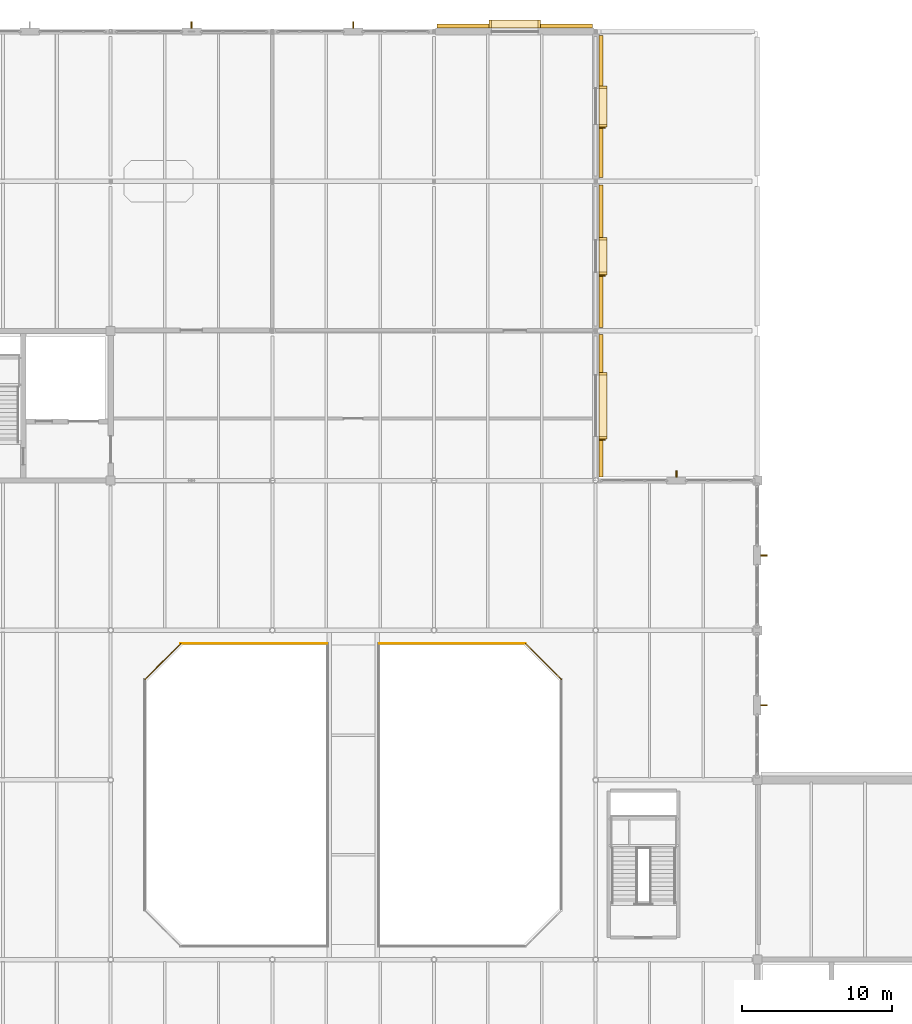
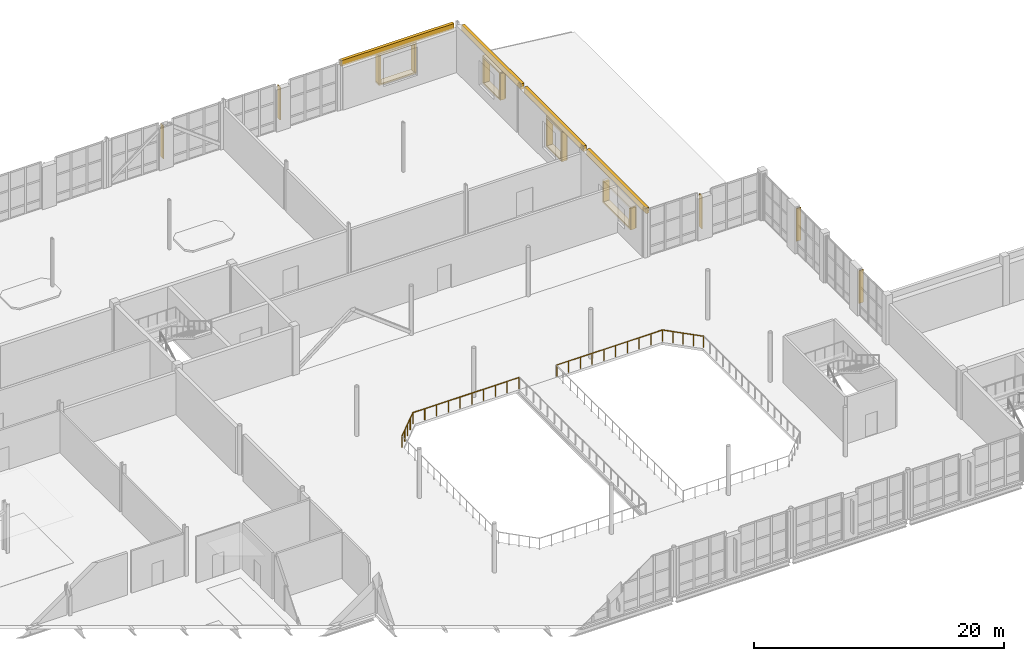
# One storey, part 99 of 100: 20 coverings, 8 shading devices, 4 railings.
"""IFC4 building model written with IfcOpenShell, lengths in metres."""

from ifc_helpers import new_model, si_unit, direction, frame, origin, origin_2d, place, context, subcontext, project, spatial, rectangle, circle, extrude, material, layer, layer_set, type_object, element, save


model = new_model("IFC4")

# Units and contexts
model_context = context("Model", 3, precision=1e-05, world=origin(), true_north=direction((0.0, 1.0)))
body_context = subcontext(model_context, "Body", "Model", "MODEL_VIEW")
ifc_project = project(units=[si_unit("LENGTHUNIT", "METRE"), si_unit("AREAUNIT", "SQUARE_METRE"), si_unit("VOLUMEUNIT", "CUBIC_METRE"), si_unit("PLANEANGLEUNIT", "RADIAN"), si_unit("MASSUNIT", "GRAM", prefix="KILO")], contexts=[model_context])

# Site, building, storey
site_placement = place(None, origin())
site = spatial("IfcSite", under=ifc_project, at=site_placement, CompositionType="ELEMENT")
building_placement = place(site_placement, origin())
building = spatial("IfcBuilding", under=site, at=building_placement, Name="Tasgan Crest Museum", CompositionType="ELEMENT")
storey_placement = place(building_placement, frame((0.0, 0.0, 9.60009765625)))
storey = spatial("IfcBuildingStorey", under=building, at=storey_placement, Name="L02", CompositionType="ELEMENT", Elevation=9.60009765625)

# Coverings
ifc_material_1 = material(Name="Honed Rose-Red Mongolian Granite", Category="masonry")
ifc_layer_1 = layer(ifc_material_1, 0.0400390625, Name="COV-GRANITE-ROSE")
ifc_layer_set_1 = layer_set([ifc_layer_1], Name="Honed Rose-Red Mongolian Granite")
covering_type_1 = type_object("IfcCoveringType", Name="COV-GRANITE-ROSE", PredefinedType="CLADDING", material=ifc_layer_set_1)
for number, where, z_axis, x_axis, name in (
    (1, (97.699951171875, 84.860107421875, 1.0), (0.0, 0.0, 1.0), (0.0, 1.0, 0.0), "Deep window reveal jamb L02-039"),
    (2, (97.699951171875, 89.139892578125, 1.0), (0.0, 0.0, 1.0), (0.0, 1.0, 0.0), "Deep window reveal jamb L02-039"),
):
    element("IfcCovering", number, at=place(storey_placement, frame(where, z_axis=z_axis, x_axis=x_axis)), inside=storey, type_object=covering_type_1, Name=name, PredefinedType="CLADDING", context=body_context, shape_type="SweptSolid", body=[
        extrude(rectangle(XDim=0.179931640625, YDim=0.550048828125, at=origin_2d()), origin(), (0.0, 0.0, 1.0), 1.89990234375),
    ])
for number, where, z_axis, x_axis, name in (
    (3, (97.699951171875, 95.8349609375, 1.0), (0.0, 0.0, 1.0), (0.0, 1.0, 0.0), "Deep window reveal jamb L02-040"),
    (4, (97.699951171875, 98.1650390625, 1.0), (0.0, 0.0, 1.0), (0.0, 1.0, 0.0), "Deep window reveal jamb L02-040"),
):
    element("IfcCovering", number, at=place(storey_placement, frame(where, z_axis=z_axis, x_axis=x_axis)), inside=storey, type_object=covering_type_1, Name=name, PredefinedType="CLADDING", context=body_context, shape_type="SweptSolid", body=[
        extrude(rectangle(XDim=0.179931640625, YDim=0.550048828125, at=origin_2d()), origin(), (0.0, 0.0, 1.0), 2.64990234375),
    ])
for number, where, z_axis, x_axis, name in (
    (5, (97.699951171875, 105.7099609375, 1.0), (0.0, 0.0, 1.0), (0.0, 1.0, 0.0), "Deep window reveal jamb L02-041"),
    (6, (97.699951171875, 108.2900390625, 1.0), (0.0, 0.0, 1.0), (0.0, 1.0, 0.0), "Deep window reveal jamb L02-041"),
):
    element("IfcCovering", number, at=place(storey_placement, frame(where, z_axis=z_axis, x_axis=x_axis)), inside=storey, type_object=covering_type_1, Name=name, PredefinedType="CLADDING", context=body_context, shape_type="SweptSolid", body=[
        extrude(rectangle(XDim=0.179931640625, YDim=0.550048828125, at=origin_2d()), origin(), (0.0, 0.0, 1.0), 2.39990234375),
    ])
for number, where, z_axis, x_axis, name in (
    (7, (93.43994140625, 112.5, 1.0), (0.0, 0.0, 1.0), (-1.0, 0.0, 0.0), "Deep window reveal jamb L02-042"),
    (8, (90.159912109375, 112.5, 1.0), (0.0, 0.0, 1.0), (-1.0, 0.0, 0.0), "Deep window reveal jamb L02-042"),
):
    element("IfcCovering", number, at=place(storey_placement, frame(where, z_axis=z_axis, x_axis=x_axis)), inside=storey, type_object=covering_type_1, Name=name, PredefinedType="CLADDING", context=body_context, shape_type="SweptSolid", body=[
        extrude(rectangle(XDim=0.179931640625, YDim=0.550048828125, at=origin_2d()), origin(), (0.0, 0.0, 1.0), 2.75),
    ])
ifc_material_2 = material(Name="Honed Buff Limestone", Category="masonry")
ifc_layer_2 = layer(ifc_material_2, 0.044921875, Name="COV-LIMESTONE-BUFF")
ifc_layer_set_2 = layer_set([ifc_layer_2], Name="Honed Buff Limestone")
covering_type_2 = type_object("IfcCoveringType", Name="COV-LIMESTONE-BUFF", PredefinedType="CLADDING", material=ifc_layer_set_2)
covering_1_placement = place(storey_placement, frame((97.56494140625, 87.0, 3.9599609375), z_axis=(0.0, 0.0, 1.0), x_axis=(0.0, 1.0, 0.0)))
element("IfcCovering", 9, at=covering_1_placement, inside=storey, type_object=covering_type_2, Name="Stone frieze cladding L02", PredefinedType="CLADDING", context=body_context, shape_type="SweptSolid", body=[
    extrude(rectangle(XDim=9.510009765625, YDim=0.280029296875, at=origin_2d()), origin(), (0.0, 0.0, 1.0), 0.550048828125),
])
covering_2_placement = place(storey_placement, frame((97.699951171875, 87.0, 2.89990234375), z_axis=(0.0, 0.0, 1.0), x_axis=(0.0, 1.0, 0.0)))
element("IfcCovering", 10, at=covering_2_placement, inside=storey, type_object=covering_type_2, Name="Deep window hood L02-039", PredefinedType="CLADDING", context=body_context, shape_type="SweptSolid", body=[
    extrude(rectangle(XDim=4.4599609375, YDim=0.550048828125, at=origin_2d()), origin(), (0.0, 0.0, 1.0), 0.179931640625),
])
covering_3_placement = place(storey_placement, frame((97.699951171875, 87.0, 0.85986328125), z_axis=(0.0, 0.0, 1.0), x_axis=(0.0, 1.0, 0.0)))
element("IfcCovering", 11, at=covering_3_placement, inside=storey, type_object=covering_type_2, Name="Deep window sill L02-039", PredefinedType="CLADDING", context=body_context, shape_type="SweptSolid", body=[
    extrude(rectangle(XDim=4.4599609375, YDim=0.550048828125, at=origin_2d()), origin(), (0.0, 0.0, 1.0), 0.139892578125),
])
covering_4_placement = place(storey_placement, frame((97.56494140625, 97.0, 3.9599609375), z_axis=(0.0, 0.0, 1.0), x_axis=(0.0, 1.0, 0.0)))
element("IfcCovering", 12, at=covering_4_placement, inside=storey, type_object=covering_type_2, Name="Stone frieze cladding L02", PredefinedType="CLADDING", context=body_context, shape_type="SweptSolid", body=[
    extrude(rectangle(XDim=9.510009765625, YDim=0.280029296875, at=origin_2d()), origin(), (0.0, 0.0, 1.0), 0.550048828125),
])
covering_5_placement = place(storey_placement, frame((97.699951171875, 97.0, 3.64990234375), z_axis=(0.0, 0.0, 1.0), x_axis=(0.0, 1.0, 0.0)))
element("IfcCovering", 13, at=covering_5_placement, inside=storey, type_object=covering_type_2, Name="Deep window hood L02-040", PredefinedType="CLADDING", context=body_context, shape_type="SweptSolid", body=[
    extrude(rectangle(XDim=2.510009765625, YDim=0.550048828125, at=origin_2d()), origin(), (0.0, 0.0, 1.0), 0.179931640625),
])
covering_6_placement = place(storey_placement, frame((97.699951171875, 97.0, 0.85986328125), z_axis=(0.0, 0.0, 1.0), x_axis=(0.0, 1.0, 0.0)))
element("IfcCovering", 14, at=covering_6_placement, inside=storey, type_object=covering_type_2, Name="Deep window sill L02-040", PredefinedType="CLADDING", context=body_context, shape_type="SweptSolid", body=[
    extrude(rectangle(XDim=2.510009765625, YDim=0.550048828125, at=origin_2d()), origin(), (0.0, 0.0, 1.0), 0.139892578125),
])
covering_7_placement = place(storey_placement, frame((97.56494140625, 107.0, 3.9599609375), z_axis=(0.0, 0.0, 1.0), x_axis=(0.0, 1.0, 0.0)))
element("IfcCovering", 15, at=covering_7_placement, inside=storey, type_object=covering_type_2, Name="Stone frieze cladding L02", PredefinedType="CLADDING", context=body_context, shape_type="SweptSolid", body=[
    extrude(rectangle(XDim=9.510009765625, YDim=0.280029296875, at=origin_2d()), origin(), (0.0, 0.0, 1.0), 0.550048828125),
])
covering_8_placement = place(storey_placement, frame((97.699951171875, 107.0, 3.39990234375), z_axis=(0.0, 0.0, 1.0), x_axis=(0.0, 1.0, 0.0)))
element("IfcCovering", 16, at=covering_8_placement, inside=storey, type_object=covering_type_2, Name="Deep window hood L02-041", PredefinedType="CLADDING", context=body_context, shape_type="SweptSolid", body=[
    extrude(rectangle(XDim=2.760009765625, YDim=0.550048828125, at=origin_2d()), origin(), (0.0, 0.0, 1.0), 0.179931640625),
])
covering_9_placement = place(storey_placement, frame((97.699951171875, 107.0, 0.85986328125), z_axis=(0.0, 0.0, 1.0), x_axis=(0.0, 1.0, 0.0)))
element("IfcCovering", 17, at=covering_9_placement, inside=storey, type_object=covering_type_2, Name="Deep window sill L02-041", PredefinedType="CLADDING", context=body_context, shape_type="SweptSolid", body=[
    extrude(rectangle(XDim=2.760009765625, YDim=0.550048828125, at=origin_2d()), origin(), (0.0, 0.0, 1.0), 0.139892578125),
])
covering_10_placement = place(storey_placement, frame((91.800048828125, 112.364990234375, 3.9599609375), z_axis=(0.0, 0.0, 1.0), x_axis=(-1.0, 0.0, 0.0)))
element("IfcCovering", 18, at=covering_10_placement, inside=storey, type_object=covering_type_2, Name="Stone frieze cladding L02", PredefinedType="CLADDING", context=body_context, shape_type="SweptSolid", body=[
    extrude(rectangle(XDim=10.407958984375, YDim=0.280029296875, at=origin_2d()), origin(), (0.0, 0.0, 1.0), 0.550048828125),
])
covering_11_placement = place(storey_placement, frame((91.800048828125, 112.5, 3.75), z_axis=(0.0, 0.0, 1.0), x_axis=(-1.0, 0.0, 0.0)))
element("IfcCovering", 19, at=covering_11_placement, inside=storey, type_object=covering_type_2, Name="Deep window hood L02-042", PredefinedType="CLADDING", context=body_context, shape_type="SweptSolid", body=[
    extrude(rectangle(XDim=3.4599609375, YDim=0.550048828125, at=origin_2d()), origin(), (0.0, 0.0, 1.0), 0.179931640625),
])
covering_12_placement = place(storey_placement, frame((91.800048828125, 112.5, 0.85986328125), z_axis=(0.0, 0.0, 1.0), x_axis=(-1.0, 0.0, 0.0)))
element("IfcCovering", 20, at=covering_12_placement, inside=storey, type_object=covering_type_2, Name="Deep window sill L02-042", PredefinedType="CLADDING", context=body_context, shape_type="SweptSolid", body=[
    extrude(rectangle(XDim=3.4599609375, YDim=0.550048828125, at=origin_2d()), origin(), (0.0, 0.0, 1.0), 0.139892578125),
])

# Railings
ifc_material_3 = material(Name="Brushed Bronze and Toughened Glass", Category="glass")
railing_type = type_object("IfcRailingType", Name="RL-INT-GUARD-1120", PredefinedType="GUARDRAIL", material=ifc_material_3)
railing_1_placement = place(storey_placement, frame((94.919921875, 68.719970703125, 0.0)))
element("IfcRailing", 21, at=railing_1_placement, inside=storey, type_object=railing_type, Name="Atrium void guard L02 3", PredefinedType="GUARDRAIL", context=body_context, shape_type="SweptSolid", body=[
    extrude(circle(Radius=0.02392578125, at=origin_2d()), frame((0.0, 0.0, 1.09619140625), z_axis=(-0.707070815327, 0.707142745217, 0.0), x_axis=(-0.707142745217, -0.707070815327, 0.0)), (0.0, 0.0, 1.0), 3.39404296875),
    extrude(circle(Radius=0.02099609375, at=origin_2d()), origin(), (0.0, 0.0, 1.0), 1.072021484375),
    extrude(circle(Radius=0.02099609375, at=origin_2d()), frame((-0.60009765625, 0.60009765625, 0.0)), (0.0, 0.0, 1.0), 1.072021484375),
    extrude(circle(Radius=0.02099609375, at=origin_2d()), frame((-1.199951171875, 1.2001953125, 0.0)), (0.0, 0.0, 1.0), 1.072021484375),
    extrude(circle(Radius=0.02099609375, at=origin_2d()), frame((-1.7998046875, 1.800048828125, 0.0)), (0.0, 0.0, 1.0), 1.072021484375),
    extrude(circle(Radius=0.02099609375, at=origin_2d()), frame((-2.39990234375, 2.400146484375, 0.0)), (0.0, 0.0, 1.0), 1.072021484375),
])
for number, where, name in (
    (22, (69.47998046875, 71.1201171875, 0.0), "Atrium void guard L02 4A"),
    (23, (82.75, 71.1201171875, 0.0), "Atrium void guard L02 4B"),
):
    element("IfcRailing", number, at=place(storey_placement, frame(where)), inside=storey, type_object=railing_type, Name=name, PredefinedType="GUARDRAIL", context=body_context, shape_type="SweptSolid", body=[
        extrude(circle(Radius=0.02392578125, at=origin_2d()), frame((0.0, 0.0, 1.09619140625), z_axis=(1.0, 0.0, 0.0), x_axis=(0.0, 1.0, 0.0)), (0.0, 0.0, 1.0), 9.77001953125),
        extrude(circle(Radius=0.02099609375, at=origin_2d()), origin(), (0.0, 0.0, 1.0), 1.072021484375),
        extrude(circle(Radius=0.02099609375, at=origin_2d()), frame((1.08544921875, 0.0, 0.0)), (0.0, 0.0, 1.0), 1.072021484375),
        extrude(circle(Radius=0.02099609375, at=origin_2d()), frame((2.171142578125, 0.0, 0.0)), (0.0, 0.0, 1.0), 1.072021484375),
        extrude(circle(Radius=0.02099609375, at=origin_2d()), frame((3.256591796875, 0.0, 0.0)), (0.0, 0.0, 1.0), 1.072021484375),
        extrude(circle(Radius=0.02099609375, at=origin_2d()), frame((4.34228515625, 0.0, 0.0)), (0.0, 0.0, 1.0), 1.072021484375),
        extrude(circle(Radius=0.02099609375, at=origin_2d()), frame((5.427734375, 0.0, 0.0)), (0.0, 0.0, 1.0), 1.072021484375),
        extrude(circle(Radius=0.02099609375, at=origin_2d()), frame((6.513427734375, 0.0, 0.0)), (0.0, 0.0, 1.0), 1.072021484375),
        extrude(circle(Radius=0.02099609375, at=origin_2d()), frame((7.598876953125, 0.0, 0.0)), (0.0, 0.0, 1.0), 1.072021484375),
        extrude(circle(Radius=0.02099609375, at=origin_2d()), frame((8.6845703125, 0.0, 0.0)), (0.0, 0.0, 1.0), 1.072021484375),
        extrude(circle(Radius=0.02099609375, at=origin_2d()), frame((9.77001953125, 0.0, 0.0)), (0.0, 0.0, 1.0), 1.072021484375),
    ])
railing_2_placement = place(storey_placement, frame((69.47998046875, 71.1201171875, 0.0)))
element("IfcRailing", 24, at=railing_2_placement, inside=storey, type_object=railing_type, Name="Atrium void guard L02 5", PredefinedType="GUARDRAIL", context=body_context, shape_type="SweptSolid", body=[
    extrude(circle(Radius=0.02392578125, at=origin_2d()), frame((0.0, 0.0, 1.09619140625), z_axis=(-0.707070815327, -0.707142745217, 0.0), x_axis=(0.707142745217, -0.707070815327, 0.0)), (0.0, 0.0, 1.0), 3.39404296875),
    extrude(circle(Radius=0.02099609375, at=origin_2d()), origin(), (0.0, 0.0, 1.0), 1.072021484375),
    extrude(circle(Radius=0.02099609375, at=origin_2d()), frame((-0.60009765625, -0.60009765625, 0.0)), (0.0, 0.0, 1.0), 1.072021484375),
    extrude(circle(Radius=0.02099609375, at=origin_2d()), frame((-1.199951171875, -1.2001953125, 0.0)), (0.0, 0.0, 1.0), 1.072021484375),
    extrude(circle(Radius=0.02099609375, at=origin_2d()), frame((-1.7998046875, -1.800048828125, 0.0)), (0.0, 0.0, 1.0), 1.072021484375),
    extrude(circle(Radius=0.02099609375, at=origin_2d()), frame((-2.39990234375, -2.400146484375, 0.0)), (0.0, 0.0, 1.0), 1.072021484375),
])

# Shading devices
ifc_material_4 = material(Name="Anodised Bronze Aluminium", Category="aluminium")
shading_device_type = type_object("IfcShadingDeviceType", Name="SH-FIN-V400", PredefinedType="JALOUSIE", material=ifc_material_4)
for number, where, z_axis, x_axis, name in (
    (25, (108.449951171875, 67.0, 0.6796875), (0.0, 0.0, 1.0), (0.0, 1.0, 0.0), "Facade pier solar fin L02"),
    (26, (108.449951171875, 77.0, 0.6796875), (0.0, 0.0, 1.0), (0.0, 1.0, 0.0), "Facade pier solar fin L02"),
    (27, (102.60009765625, 82.449951171875, 0.6796875), (0.0, 0.0, 1.0), (-1.0, 0.0, 0.0), "Facade pier solar fin L02"),
):
    element("IfcShadingDevice", number, at=place(storey_placement, frame(where, z_axis=z_axis, x_axis=x_axis)), inside=storey, type_object=shading_device_type, Name=name, PredefinedType="JALOUSIE", context=body_context, shape_type="SweptSolid", body=[
        extrude(rectangle(XDim=0.080078125, YDim=0.419921875, at=origin_2d()), origin(), (0.0, 0.0, 1.0), 3.199951171875),
    ])
shading_device_1_placement = place(storey_placement, frame((97.635009765625, 84.72998046875, 0.89990234375), z_axis=(0.0, 0.0, 1.0), x_axis=(0.0, 1.0, 0.0)))
element("IfcShadingDevice", 28, at=shading_device_1_placement, inside=storey, type_object=shading_device_type, Name="Solar shading fin L02-039", PredefinedType="JALOUSIE", context=body_context, shape_type="SweptSolid", body=[
    extrude(rectangle(XDim=0.080078125, YDim=0.419921875, at=origin_2d()), origin(), (0.0, 0.0, 1.0), 2.10009765625),
])
shading_device_2_placement = place(storey_placement, frame((97.635009765625, 95.705078125, 0.89990234375), z_axis=(0.0, 0.0, 1.0), x_axis=(0.0, 1.0, 0.0)))
element("IfcShadingDevice", 29, at=shading_device_2_placement, inside=storey, type_object=shading_device_type, Name="Solar shading fin L02-040", PredefinedType="JALOUSIE", context=body_context, shape_type="SweptSolid", body=[
    extrude(rectangle(XDim=0.080078125, YDim=0.419921875, at=origin_2d()), origin(), (0.0, 0.0, 1.0), 2.85009765625),
])
shading_device_3_placement = place(storey_placement, frame((97.635009765625, 105.580078125, 0.89990234375), z_axis=(0.0, 0.0, 1.0), x_axis=(0.0, 1.0, 0.0)))
element("IfcShadingDevice", 30, at=shading_device_3_placement, inside=storey, type_object=shading_device_type, Name="Solar shading fin L02-041", PredefinedType="JALOUSIE", context=body_context, shape_type="SweptSolid", body=[
    extrude(rectangle(XDim=0.080078125, YDim=0.419921875, at=origin_2d()), origin(), (0.0, 0.0, 1.0), 2.60009765625),
])
for number, where, z_axis, x_axis, name in (
    (31, (81.0, 112.449951171875, 0.6796875), (0.0, 0.0, 1.0), (-1.0, 0.0, 0.0), "Facade pier solar fin L02"),
    (32, (70.199951171875, 112.449951171875, 0.6796875), (0.0, 0.0, 1.0), (-1.0, 0.0, 0.0), "Facade pier solar fin L02"),
):
    element("IfcShadingDevice", number, at=place(storey_placement, frame(where, z_axis=z_axis, x_axis=x_axis)), inside=storey, type_object=shading_device_type, Name=name, PredefinedType="JALOUSIE", context=body_context, shape_type="SweptSolid", body=[
        extrude(rectangle(XDim=0.080078125, YDim=0.419921875, at=origin_2d()), origin(), (0.0, 0.0, 1.0), 3.199951171875),
    ])

save(model, "model.ifc")
